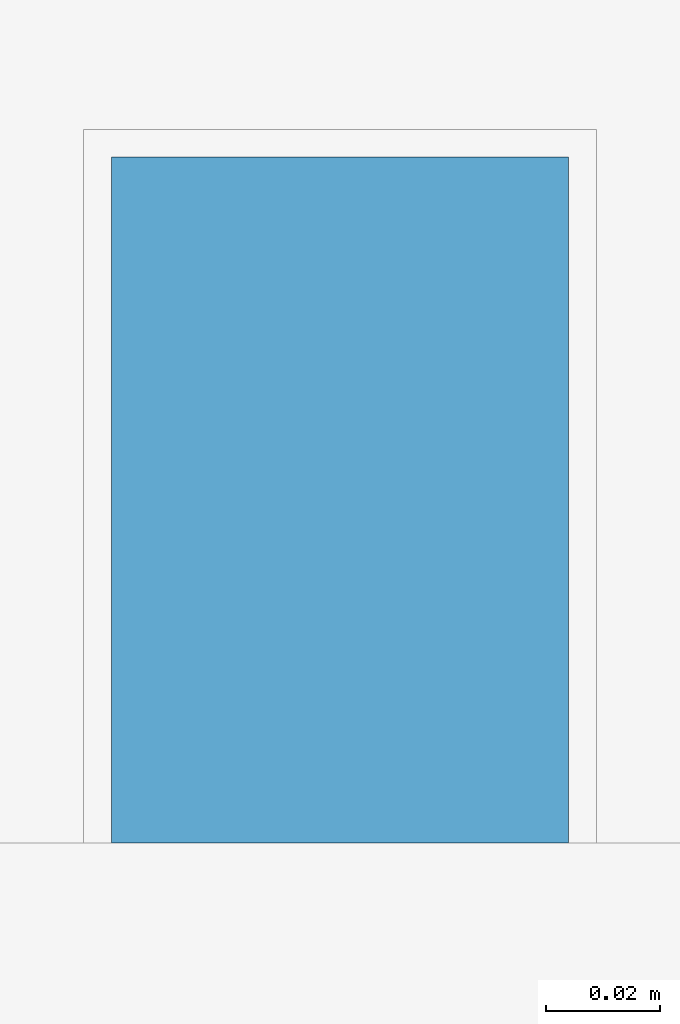
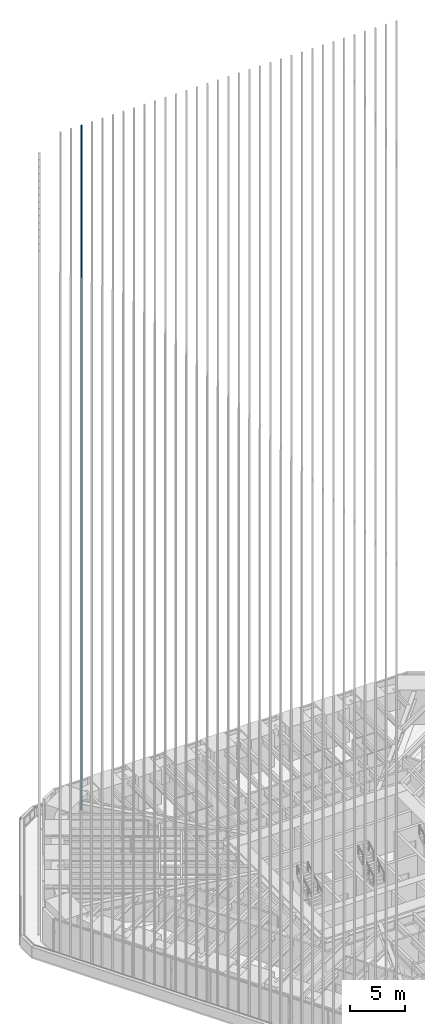
# One storey, part 152 of 238: 1 member, 1 element without a shape of its own.
"""IFC4 building model written with IfcOpenShell, lengths in metres."""

from ifc_helpers import new_model, si_unit, direction, frame, origin, origin_2d, place, context, subcontext, project, spatial, rectangle, extrude, material, material_profile, profile_set, type_object, element, aggregate, save


model = new_model("IFC4")

# Units and contexts
model_context = context("Model", 3, precision=1e-05, world=origin(), true_north=direction((0.0, 1.0)))
body_context = subcontext(model_context, "Body", "Model", "MODEL_VIEW")
ifc_project = project(units=[si_unit("LENGTHUNIT", "METRE"), si_unit("AREAUNIT", "SQUARE_METRE"), si_unit("VOLUMEUNIT", "CUBIC_METRE"), si_unit("PLANEANGLEUNIT", "RADIAN"), si_unit("MASSUNIT", "GRAM", prefix="KILO")], contexts=[model_context])

# Site, building, storey
site_placement = place(None, origin())
site = spatial("IfcSite", under=ifc_project, at=site_placement, CompositionType="ELEMENT")
building_placement = place(site_placement, origin())
building = spatial("IfcBuilding", under=site, at=building_placement, Name="Sandreach Pilgrim Tower", CompositionType="ELEMENT")
storey_placement = place(building_placement, frame((0.0, 0.0, 96.800048828125)))
storey = spatial("IfcBuildingStorey", under=building, at=storey_placement, Name="L23", CompositionType="ELEMENT", Elevation=96.800048828125)

# Curtain wall, member
ifc_material_1 = material(Name="Aluminium framed curtain wall", Category="aluminium")
curtain_wall_type = type_object("IfcCurtainWallType", Name="Hotel tower curtain wall", PredefinedType="NOTDEFINED", material=ifc_material_1)
curtain_wall_placement = place(storey_placement, origin())
curtain_wall = element("IfcCurtainWall", 1, at=curtain_wall_placement, inside=storey, type_object=curtain_wall_type, Name="CW-2 L23 N", PredefinedType="NOTDEFINED")
ifc_material_2 = material(Name="Extruded terracotta on aluminium core", Category="masonry")
ifc_material_profile = material_profile(ifc_material_2, rectangle(XDim=0.080078125, YDim=0.1201171875, at=origin_2d()), Name="TBN 80X120")
ifc_profile_set = profile_set([ifc_material_profile], Name="Extruded terracotta on aluminium core")
member_type = type_object("IfcMemberType", Name="Terracotta baguette north", PredefinedType="USERDEFINED", material=ifc_profile_set)
member_placement = place(storey_placement, frame((-15.39111328125, 22.853759765625, 0.0), z_axis=(0.0, 0.0, 1.0), x_axis=(1.0, 0.0, 0.0)))
member = element("IfcMember", 2, at=member_placement, type_object=member_type, Name="Baguette Z2 N03", ObjectType="BAGUETTE", PredefinedType="USERDEFINED", context=body_context, shape_type="SweptSolid", body=[
    extrude(rectangle(XDim=0.080078125, YDim=0.1201171875, at=origin_2d()), origin(), (0.0, 0.0, 1.0), 75.83984375),
])
aggregate(curtain_wall, [member])

save(model, "model.ifc")
